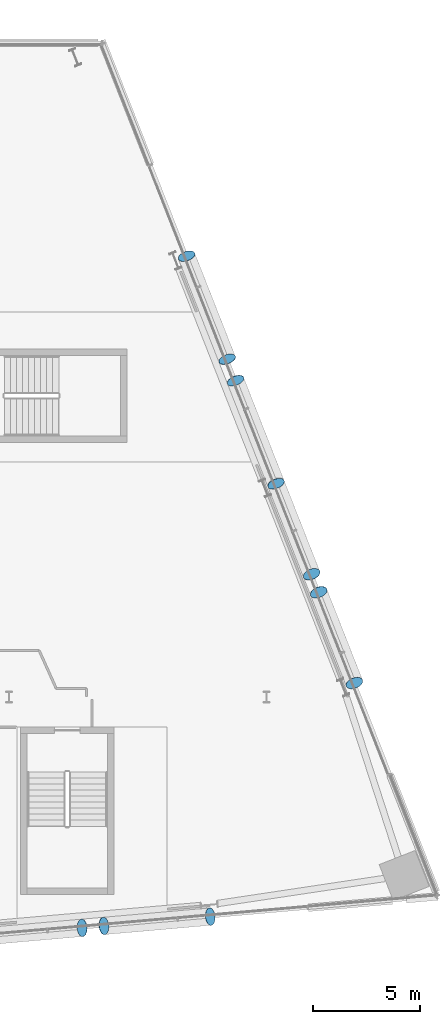
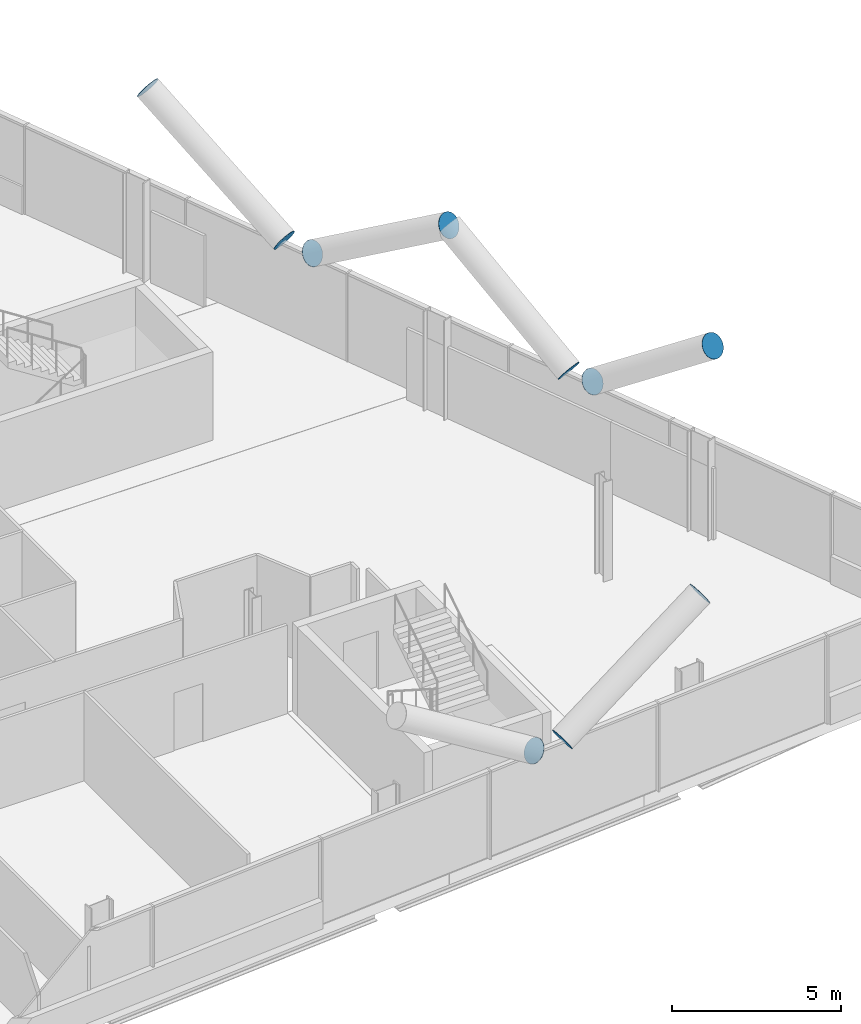
# One storey, part 23 of 27: 10 discrete accessories.
"""IFC4 building model written with IfcOpenShell, lengths in metres."""

from ifc_helpers import new_model, si_unit, direction, frame, origin, origin_2d, place, context, subcontext, project, spatial, circle, extrude, material, material_profile, profile_set, type_object, element, save


model = new_model("IFC4")

# Units and contexts
model_context = context("Model", 3, precision=1e-05, world=origin(), true_north=direction((0.0, 1.0)))
body_context = subcontext(model_context, "Body", "Model", "MODEL_VIEW")
ifc_project = project(units=[si_unit("LENGTHUNIT", "METRE"), si_unit("AREAUNIT", "SQUARE_METRE"), si_unit("VOLUMEUNIT", "CUBIC_METRE"), si_unit("PLANEANGLEUNIT", "RADIAN"), si_unit("MASSUNIT", "GRAM", prefix="KILO")], contexts=[model_context])

# Site, building, storey
site_placement = place(None, origin())
site = spatial("IfcSite", under=ifc_project, at=site_placement, CompositionType="ELEMENT")
building_placement = place(site_placement, origin())
building = spatial("IfcBuilding", under=site, at=building_placement, Name="Wharfspan Tower", CompositionType="ELEMENT")
storey_placement = place(building_placement, frame((0.0, 0.0, 118.300049)))
storey = spatial("IfcBuildingStorey", under=building, at=storey_placement, Name="L27", CompositionType="ELEMENT", Elevation=118.300049)

# Discrete accessories
ifc_material = material(Name="Steel S460NH", Category="steel")
ifc_material_profile = material_profile(ifc_material, circle(Radius=0.406494, at=origin_2d()))
ifc_profile_set = profile_set([ifc_material_profile], Name="Steel S460NH")
discrete_accessory_type = type_object("IfcDiscreteAccessoryType", Name="End plate CHS 813x40", PredefinedType="BRACKET", material=ifc_profile_set)
discrete_accessory_1_placement = place(storey_placement, frame((76.418457, 0.821777, 3.232178), z_axis=(0.83357, 0.071449, 0.547774), x_axis=(-0.085401, 0.996343, 0.0)))
element("IfcDiscreteAccessory", 1, at=discrete_accessory_1_placement, inside=storey, type_object=discrete_accessory_type, Name="End plate CHS 813x40", PredefinedType="BRACKET", context=body_context, shape_type="SweptSolid", body=[
    extrude(circle(Radius=0.406494, at=origin_2d()), origin(), (0.0, 0.0, 1.0), 0.010254),
])
for number, where, z_axis, x_axis, name in (
    (2, (81.376221, 1.255371, 6.5), (0.837276, 0.073877, 0.541767), (-0.087893, 0.996132, -1e-06), "End plate CHS 813x40"),
    (3, (75.410156, 0.733398, 3.232178), (-0.827302, -0.048665, 0.559645), (0.058723, -0.998276, 1e-06), "End plate CHS 813x40"),
    (4, (82.171143, 27.249756, 3.236328), (-0.293294, 0.806559, 0.513265), (-0.939791, -0.341742, 0.0), "End plate CHS 813x40"),
    (5, (80.282471, 32.05542, 6.5), (-0.289598, 0.796395, 0.53093), (-0.939792, -0.341743, 1e-06), "End plate CHS 813x40"),
):
    element("IfcDiscreteAccessory", number, at=place(storey_placement, frame(where, z_axis=z_axis, x_axis=x_axis)), inside=storey, type_object=discrete_accessory_type, Name=name, PredefinedType="BRACKET", context=body_context, shape_type="SweptSolid", body=[
        extrude(circle(Radius=0.406494, at=origin_2d()), origin(), (0.0, 0.0, 1.0), 0.01001),
    ])
discrete_accessory_2_placement = place(storey_placement, frame((82.560303, 26.259521, 3.236328), z_axis=(0.321601, -0.791633, 0.519509), x_axis=(0.926467, 0.376378, 1e-06)))
element("IfcDiscreteAccessory", 6, at=discrete_accessory_2_placement, inside=storey, type_object=discrete_accessory_type, Name="End plate CHS 813x40", PredefinedType="BRACKET", context=body_context, shape_type="SweptSolid", body=[
    extrude(circle(Radius=0.406494, at=origin_2d()), origin(), (0.0, 0.0, 1.0), 0.009766),
])
discrete_accessory_3_placement = place(storey_placement, frame((84.448975, 21.454102, 6.5), z_axis=(0.311472, -0.79066, 0.527107), x_axis=(0.93041, 0.366525, 0.0)))
element("IfcDiscreteAccessory", 7, at=discrete_accessory_3_placement, inside=storey, type_object=discrete_accessory_type, Name="End plate CHS 813x40", PredefinedType="BRACKET", context=body_context, shape_type="SweptSolid", body=[
    extrude(circle(Radius=0.406494, at=origin_2d()), origin(), (0.0, 0.0, 1.0), 0.010254),
])
for number, where, z_axis, x_axis, name in (
    (8, (86.112793, 17.220459, 3.221924), (-0.292683, 0.756098, 0.585366), (-0.932565, -0.360992, -1e-06), "End plate CHS 813x40"),
    (9, (86.439697, 16.388916, 3.221924), (0.292683, -0.756098, 0.585366), (0.932565, 0.360992, -1e-06), "End plate CHS 813x40"),
    (10, (88.103516, 12.155518, 6.5), (0.292683, -0.756098, 0.585366), (0.932565, 0.360992, -1e-06), "End plate CHS 813x40"),
):
    element("IfcDiscreteAccessory", number, at=place(storey_placement, frame(where, z_axis=z_axis, x_axis=x_axis)), inside=storey, type_object=discrete_accessory_type, Name=name, PredefinedType="BRACKET", context=body_context, shape_type="SweptSolid", body=[
        extrude(circle(Radius=0.406494, at=origin_2d()), origin(), (0.0, 0.0, 1.0), 0.01001),
    ])

save(model, "model.ifc")
